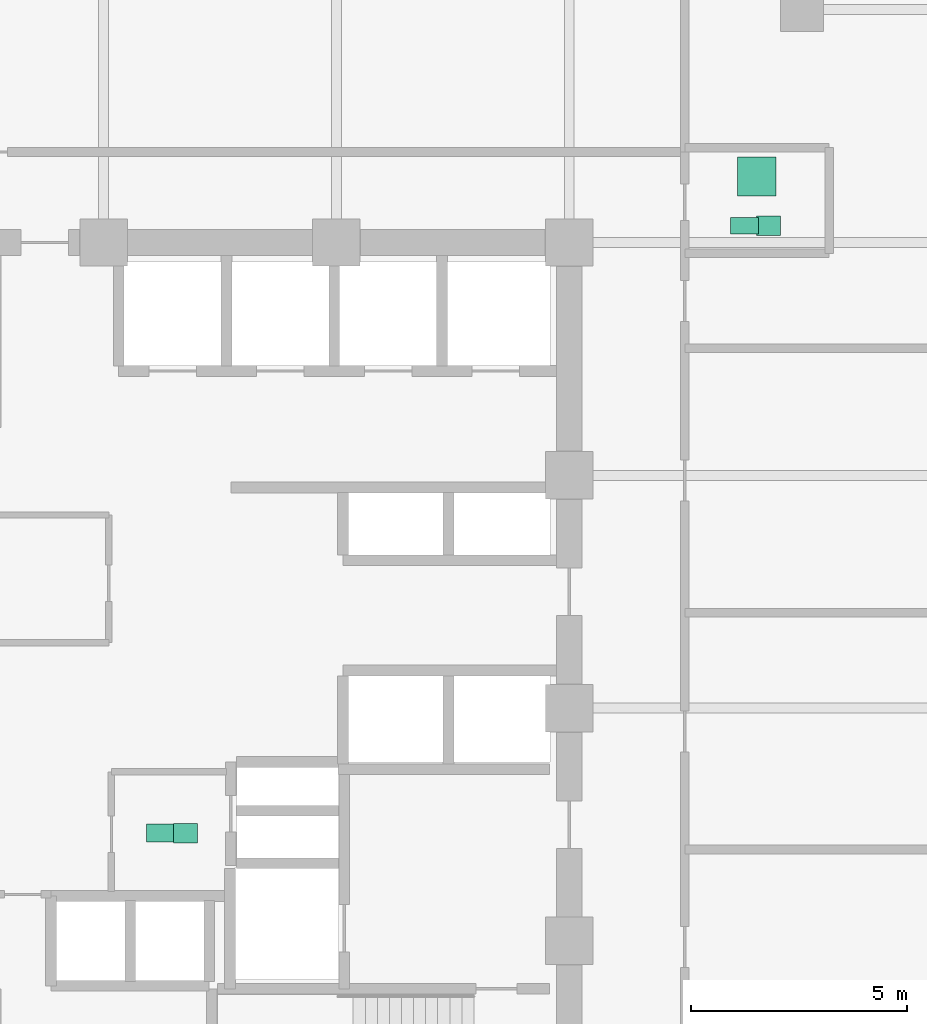
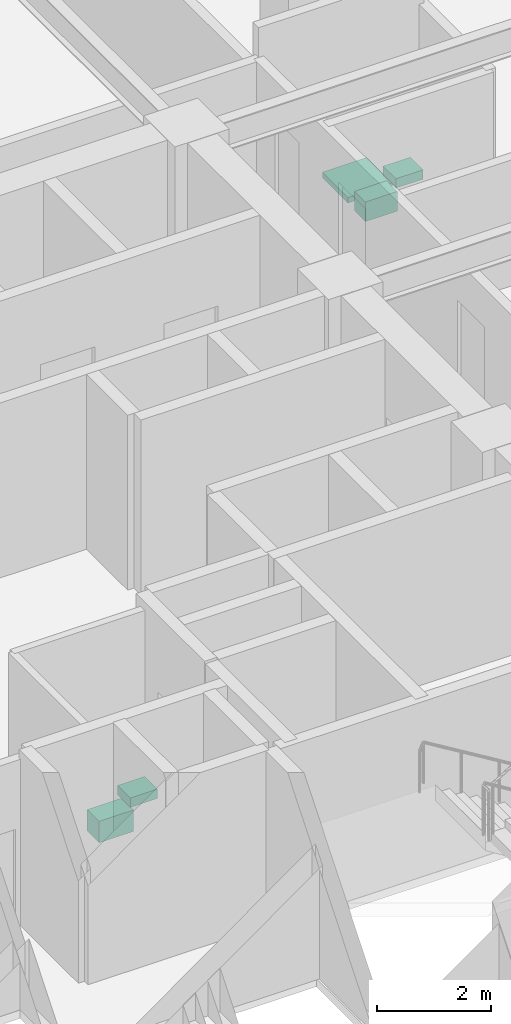
# One storey, part 29 of 29: 5 sanitary terminals.
"""IFC4 building model written with IfcOpenShell, lengths in metres."""

import ifcopenshell
import ifcopenshell.guid

model = None  # the IFC model being written
_history = None  # IfcOwnerHistory: only IFC2X3 demands one
_inside = {}  # id of a spatial element -> (the spatial element, [elements in it])
_under = {}  # id of a project, library or spatial element -> (it, [spatial elements below it])
_declared = {}  # id of a project -> (the project, [libraries it declares])
_typed = {}  # id of a type object -> (the type object, [elements of that type])
_made_of = {}  # id of a material, layer set ... -> (it, [elements and type objects made of it])


def new_model(schema):
    """Start an empty IFC model of exactly this schema.

    Asked for "IFC4X3", IfcOpenShell would pick the latest addendum, in which some entities
    have other attributes; the version numbers below select the first issue.
    IFC2X3 requires an IfcOwnerHistory on every rooted entity: one is made here for all.
    """
    global model, _history
    if schema == "IFC4X3":
        model = ifcopenshell.file(schema_version=(4, 3, 0, 0))
    else:
        model = ifcopenshell.file(schema=schema)
    _inside.clear()
    _under.clear()
    _declared.clear()
    _typed.clear()
    _made_of.clear()
    _history = None
    if model.schema == "IFC2X3":
        org = make("IfcOrganization", Name="unknown")
        user = make(
            "IfcPersonAndOrganization",
            ThePerson=make("IfcPerson", FamilyName="unknown"),
            TheOrganization=org,
        )
        app = make(
            "IfcApplication",
            ApplicationDeveloper=org,
            Version="unknown",
            ApplicationFullName="unknown",
            ApplicationIdentifier="unknown",
        )
        _history = make(
            "IfcOwnerHistory",
            OwningUser=user,
            OwningApplication=app,
            ChangeAction="ADDED",
            CreationDate=0,
        )
    return model


def make(cls, **values):
    """One entity of the class cls with the attributes given. An attribute that is None is left unset."""
    return model.create_entity(
        cls, **{name: value for name, value in values.items() if value is not None}
    )


def rooted(cls, **values):
    """An entity with a GlobalId (a new one), such as an element, a storey or a relation."""
    return make(cls, GlobalId=ifcopenshell.guid.new(), OwnerHistory=_history, **values)


def si_unit(unit_type, name, prefix=None):
    """IfcSIUnit, for example si_unit("LENGTHUNIT", "METRE", prefix="MILLI")."""
    return make("IfcSIUnit", UnitType=unit_type, Prefix=prefix, Name=name)


def assignment(units):
    """IfcUnitAssignment: the units of a project."""
    return None if units is None else make("IfcUnitAssignment", Units=units)


def point(xyz):
    """IfcCartesianPoint."""
    return None if xyz is None else make("IfcCartesianPoint", Coordinates=xyz)


def direction(xyz):
    """IfcDirection."""
    return None if xyz is None else make("IfcDirection", DirectionRatios=xyz)


def frame(location, z_axis=None, x_axis=None):
    """IfcAxis2Placement3D, a coordinate frame: its origin and axes. An axis left out is left unset."""
    return make(
        "IfcAxis2Placement3D",
        Location=point(location),
        Axis=direction(z_axis),
        RefDirection=direction(x_axis),
    )


def frame_2d(location, x_axis=None):
    """IfcAxis2Placement2D, a coordinate frame in the plane: its origin and x axis."""
    return make(
        "IfcAxis2Placement2D", Location=point(location), RefDirection=direction(x_axis)
    )


def origin():
    """The frame at (0, 0, 0) with its axes left unset."""
    return frame((0.0, 0.0, 0.0))


def origin_2d():
    """The frame at (0, 0) in the plane with its x axis left unset."""
    return frame_2d((0.0, 0.0))


def place(relative_to, where):
    """IfcLocalPlacement: puts the frame where relative to a parent placement (None: the world)."""
    return make(
        "IfcLocalPlacement", PlacementRelTo=relative_to, RelativePlacement=where
    )


def context(
    kind, dimensions, precision=None, world=None, true_north=None, identifier=None
):
    """IfcGeometricRepresentationContext, for example the 3D "Model" context."""
    return make(
        "IfcGeometricRepresentationContext",
        ContextIdentifier=identifier,
        ContextType=kind,
        CoordinateSpaceDimension=dimensions,
        Precision=precision,
        WorldCoordinateSystem=world,
        TrueNorth=true_north,
    )


def subcontext(parent, identifier, kind, view, scale=None):
    """IfcGeometricRepresentationSubContext, for example "Body" below "Model"."""
    return make(
        "IfcGeometricRepresentationSubContext",
        ContextIdentifier=identifier,
        ContextType=kind,
        ParentContext=parent,
        TargetScale=scale,
        TargetView=view,
    )


def project(units=None, contexts=None):
    """IfcProject with its units and contexts."""
    return rooted(
        "IfcProject",
        Name="project",
        RepresentationContexts=contexts,
        UnitsInContext=assignment(units),
    )


def spatial(cls, under=None, at=None, **own):
    """A site, building, storey or space (cls), placed at a placement, below another one or the project."""
    s = rooted(cls, ObjectPlacement=at, **own)
    if under is not None:
        _under.setdefault(under.id(), (under, []))[1].append(s)
    return s


def profile(cls, at=None, kind="AREA", **sizes):
    """A parametric profile (cls). Its sizes go by their IFC names, for example OverallWidth=200.0."""
    return make(cls, ProfileType=kind, Position=at, **sizes)


def rectangle(**sizes):
    """IfcRectangleProfileDef."""
    return profile("IfcRectangleProfileDef", **sizes)


def extrude(swept, where, along, depth):
    """IfcExtrudedAreaSolid: the profile swept, set in the frame where, extruded along a direction by depth."""
    return make(
        "IfcExtrudedAreaSolid",
        SweptArea=swept,
        Position=where,
        ExtrudedDirection=direction(along),
        Depth=depth,
    )


def shape(context_of_items, identifier, shape_type, items):
    """IfcShapeRepresentation: the items that make up one representation, for example the "Body"."""
    return make(
        "IfcShapeRepresentation",
        ContextOfItems=context_of_items,
        RepresentationIdentifier=identifier,
        RepresentationType=shape_type,
        Items=items,
    )


def material(Name=None, Category=None):
    """IfcMaterial."""
    return make("IfcMaterial", Name=Name, Category=Category)


def made_of(thing, what):
    """Note that an element or type object is made of a material, layer set ...; save() writes the relation."""
    if what is not None:
        _made_of.setdefault(what.id(), (what, []))[1].append(thing)
    return thing


def type_object(cls, material=None, **own):
    """A type object (cls), such as IfcWallType, which elements share."""
    return made_of(rooted(cls, **own), material)


def element(
    cls,
    number,
    at=None,
    inside=None,
    cuts=None,
    type_object=None,
    material=None,
    context=None,
    identifier="Body",
    shape_type=None,
    held_by="IfcProductDefinitionShape",
    body=None,
    shapes=None,
    **own,
):
    """One element of the class cls, such as IfcWall. Its Tag is "e" and its number.

    at: its placement. inside: the storey or other place that contains it. cuts: it is an
    opening in that element (IfcRelVoidsElement). A single representation is given by context,
    identifier, shape_type and body (its items); several are given by shapes. held_by: the class
    of the entity that holds the representations. save() writes the other relations.
    """
    e = rooted(cls, Tag="e%d" % number, ObjectPlacement=at, **own)
    if body is not None:
        shapes = [shape(context, identifier, shape_type, body)]
    if shapes is not None:
        e.Representation = make(held_by, Representations=shapes)
    if inside is not None:
        _inside.setdefault(inside.id(), (inside, []))[1].append(e)
    if cuts is not None:
        rooted(
            "IfcRelVoidsElement", RelatingBuildingElement=cuts, RelatedOpeningElement=e
        )
    if type_object is not None:
        _typed.setdefault(type_object.id(), (type_object, []))[1].append(e)
    return made_of(e, material)


def aggregate(whole, parts):
    """IfcRelAggregates: a whole, such as a stair, and the parts it consists of."""
    return rooted("IfcRelAggregates", RelatingObject=whole, RelatedObjects=parts)


def save(model, path):
    """Write the relations noted so far, then the file.

    IfcRelAggregates (storeys below a building ...), IfcRelContainedInSpatialStructure (elements
    in a storey), IfcRelDefinesByType, IfcRelAssociatesMaterial and IfcRelDeclares: one each for
    every whole, place, type object, material and project.
    """
    for whole, parts in _under.values():
        aggregate(whole, parts)
    for where, things in _inside.values():
        rooted(
            "IfcRelContainedInSpatialStructure",
            RelatedElements=things,
            RelatingStructure=where,
        )
    for kind, things in _typed.values():
        rooted("IfcRelDefinesByType", RelatedObjects=things, RelatingType=kind)
    for what, things in _made_of.values():
        rooted("IfcRelAssociatesMaterial", RelatedObjects=things, RelatingMaterial=what)
    for by, libraries in _declared.values():
        rooted("IfcRelDeclares", RelatingContext=by, RelatedDefinitions=libraries)
    model.write(path)


model = new_model("IFC4")

# Units and contexts
model_context = context("Model", 3, precision=1e-05, world=origin(), true_north=direction((0.0, 1.0)))
body_context = subcontext(model_context, "Body", "Model", "MODEL_VIEW")
ifc_project = project(units=[si_unit("LENGTHUNIT", "METRE"), si_unit("AREAUNIT", "SQUARE_METRE"), si_unit("VOLUMEUNIT", "CUBIC_METRE"), si_unit("PLANEANGLEUNIT", "RADIAN"), si_unit("MASSUNIT", "GRAM", prefix="KILO")], contexts=[model_context])

# Site, building, storey
site_placement = place(None, origin())
site = spatial("IfcSite", under=ifc_project, at=site_placement, CompositionType="ELEMENT")
building_placement = place(site_placement, origin())
building = spatial("IfcBuilding", under=site, at=building_placement, Name="Surkhivell Harbour Commons", CompositionType="ELEMENT")
storey_placement = place(building_placement, frame((0.0, 0.0, 150.75)))
storey = spatial("IfcBuildingStorey", under=building, at=storey_placement, Name="L39", CompositionType="ELEMENT", Elevation=150.75)

# Sanitary terminals
ifc_material_1 = material(Name="Vitreous china washbasin", Category="other")
sanitary_terminal_type_1 = type_object("IfcSanitaryTerminalType", Name="SAN-BSN", PredefinedType="WASHHANDBASIN", material=ifc_material_1)
for number, where, z_axis, x_axis, name in (
    (1, (1.89990234375, -2.89990234375, 0.72021484375), (0.0, 0.0, 1.0), (1.0, 0.0, 0.0), "L39 Core Accessible WC Washbasin"),
    (2, (15.419921875, 11.18994140625, 0.72021484375), (0.0, 0.0, 1.0), (1.0, 0.0, 0.0), "L39 East Communal Bathroom WC Washbasin"),
):
    element("IfcSanitaryTerminal", number, at=place(storey_placement, frame(where, z_axis=z_axis, x_axis=x_axis)), inside=storey, type_object=sanitary_terminal_type_1, Name=name, PredefinedType="WASHHANDBASIN", context=body_context, shape_type="SweptSolid", body=[
        extrude(rectangle(XDim=0.550048828125, YDim=0.449951171875, at=origin_2d()), origin(), (0.0, 0.0, 1.0), 0.199951171875),
    ])
ifc_material_2 = material(Name="Glazed porcelain shower tray", Category="other")
sanitary_terminal_type_2 = type_object("IfcSanitaryTerminalType", Name="SAN-SHW", PredefinedType="SHOWER", material=ifc_material_2)
sanitary_terminal_1_placement = place(storey_placement, frame((15.14990234375, 12.330078125, 0.0), z_axis=(0.0, 0.0, 1.0), x_axis=(1.0, 0.0, 0.0)))
element("IfcSanitaryTerminal", 3, at=sanitary_terminal_1_placement, inside=storey, type_object=sanitary_terminal_type_2, Name="L39 East Communal Shower Tray", PredefinedType="SHOWER", context=body_context, shape_type="SweptSolid", body=[
    extrude(rectangle(XDim=0.89990234375, YDim=0.89990234375, at=origin_2d()), origin(), (0.0, 0.0, 1.0), 0.1201171875),
])
ifc_material_3 = material(Name="Vitreous china sanitaryware", Category="other")
sanitary_terminal_type_3 = type_object("IfcSanitaryTerminalType", Name="SAN-WC-ACC", PredefinedType="TOILETPAN", material=ifc_material_3)
sanitary_terminal_2_placement = place(storey_placement, frame((1.35009765625, -2.89990234375, 0.169921875), z_axis=(0.0, 0.0, 1.0), x_axis=(1.0, 0.0, 0.0)))
element("IfcSanitaryTerminal", 4, at=sanitary_terminal_2_placement, inside=storey, type_object=sanitary_terminal_type_3, Name="L39 Core Accessible WC", PredefinedType="TOILETPAN", context=body_context, shape_type="SweptSolid", body=[
    extrude(rectangle(XDim=0.699951171875, YDim=0.419921875, at=origin_2d()), origin(), (0.0, 0.0, 1.0), 0.4599609375),
])
sanitary_terminal_type_4 = type_object("IfcSanitaryTerminalType", Name="SAN-WC-STD", PredefinedType="TOILETPAN", material=ifc_material_3)
sanitary_terminal_3_placement = place(storey_placement, frame((14.8701171875, 11.18994140625, 0.18994140625), z_axis=(0.0, 0.0, 1.0), x_axis=(1.0, 0.0, 0.0)))
element("IfcSanitaryTerminal", 5, at=sanitary_terminal_3_placement, inside=storey, type_object=sanitary_terminal_type_4, Name="L39 East Communal Bathroom WC", PredefinedType="TOILETPAN", context=body_context, shape_type="SweptSolid", body=[
    extrude(rectangle(XDim=0.64990234375, YDim=0.3798828125, at=origin_2d()), origin(), (0.0, 0.0, 1.0), 0.419921875),
])

save(model, "model.ifc")
